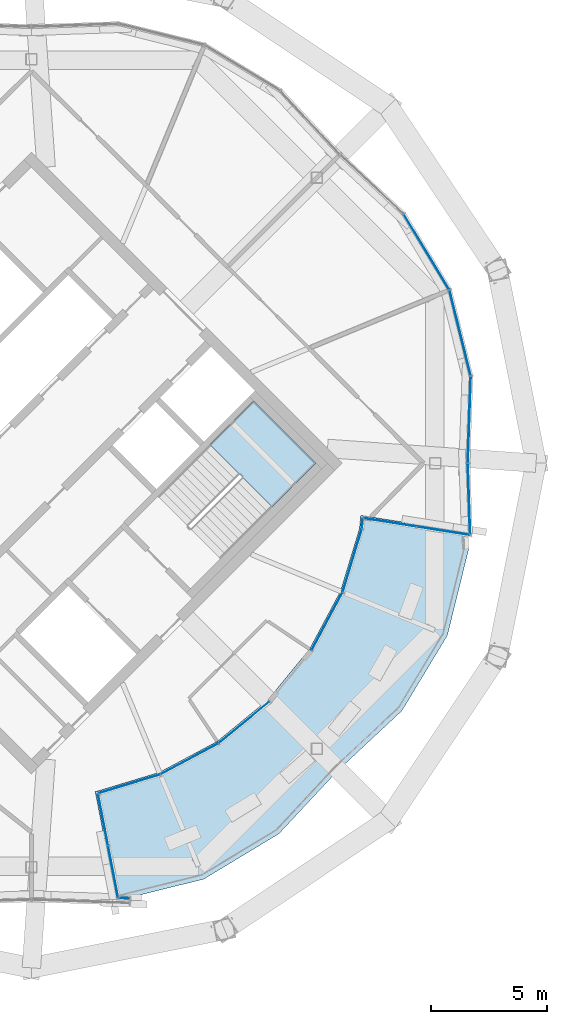
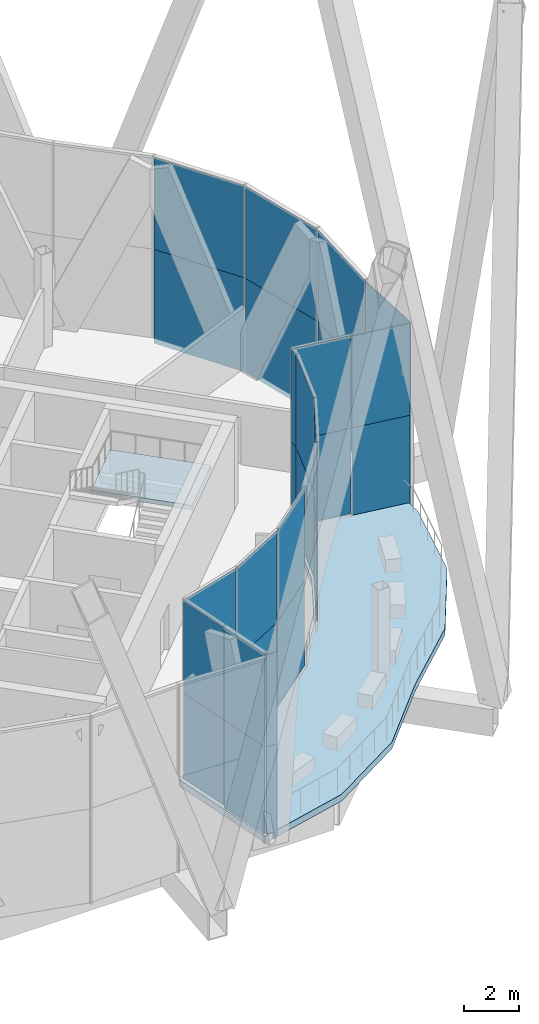
# One storey, part 28 of 38: 30 plates, 2 slabs, 6 elements without a shape of their own.
"""IFC4 building model written with IfcOpenShell, lengths in metres."""

import ifcopenshell
import ifcopenshell.guid

model = None  # the IFC model being written
_history = None  # IfcOwnerHistory: only IFC2X3 demands one
_inside = {}  # id of a spatial element -> (the spatial element, [elements in it])
_under = {}  # id of a project, library or spatial element -> (it, [spatial elements below it])
_declared = {}  # id of a project -> (the project, [libraries it declares])
_typed = {}  # id of a type object -> (the type object, [elements of that type])
_made_of = {}  # id of a material, layer set ... -> (it, [elements and type objects made of it])


def new_model(schema):
    """Start an empty IFC model of exactly this schema.

    Asked for "IFC4X3", IfcOpenShell would pick the latest addendum, in which some entities
    have other attributes; the version numbers below select the first issue.
    IFC2X3 requires an IfcOwnerHistory on every rooted entity: one is made here for all.
    """
    global model, _history
    if schema == "IFC4X3":
        model = ifcopenshell.file(schema_version=(4, 3, 0, 0))
    else:
        model = ifcopenshell.file(schema=schema)
    _inside.clear()
    _under.clear()
    _declared.clear()
    _typed.clear()
    _made_of.clear()
    _history = None
    if model.schema == "IFC2X3":
        org = make("IfcOrganization", Name="unknown")
        user = make(
            "IfcPersonAndOrganization",
            ThePerson=make("IfcPerson", FamilyName="unknown"),
            TheOrganization=org,
        )
        app = make(
            "IfcApplication",
            ApplicationDeveloper=org,
            Version="unknown",
            ApplicationFullName="unknown",
            ApplicationIdentifier="unknown",
        )
        _history = make(
            "IfcOwnerHistory",
            OwningUser=user,
            OwningApplication=app,
            ChangeAction="ADDED",
            CreationDate=0,
        )
    return model


def make(cls, **values):
    """One entity of the class cls with the attributes given. An attribute that is None is left unset."""
    return model.create_entity(
        cls, **{name: value for name, value in values.items() if value is not None}
    )


def rooted(cls, **values):
    """An entity with a GlobalId (a new one), such as an element, a storey or a relation."""
    return make(cls, GlobalId=ifcopenshell.guid.new(), OwnerHistory=_history, **values)


def si_unit(unit_type, name, prefix=None):
    """IfcSIUnit, for example si_unit("LENGTHUNIT", "METRE", prefix="MILLI")."""
    return make("IfcSIUnit", UnitType=unit_type, Prefix=prefix, Name=name)


def assignment(units):
    """IfcUnitAssignment: the units of a project."""
    return None if units is None else make("IfcUnitAssignment", Units=units)


def point(xyz):
    """IfcCartesianPoint."""
    return None if xyz is None else make("IfcCartesianPoint", Coordinates=xyz)


def direction(xyz):
    """IfcDirection."""
    return None if xyz is None else make("IfcDirection", DirectionRatios=xyz)


def frame(location, z_axis=None, x_axis=None):
    """IfcAxis2Placement3D, a coordinate frame: its origin and axes. An axis left out is left unset."""
    return make(
        "IfcAxis2Placement3D",
        Location=point(location),
        Axis=direction(z_axis),
        RefDirection=direction(x_axis),
    )


def frame_2d(location, x_axis=None):
    """IfcAxis2Placement2D, a coordinate frame in the plane: its origin and x axis."""
    return make(
        "IfcAxis2Placement2D", Location=point(location), RefDirection=direction(x_axis)
    )


def origin():
    """The frame at (0, 0, 0) with its axes left unset."""
    return frame((0.0, 0.0, 0.0))


def origin_2d():
    """The frame at (0, 0) in the plane with its x axis left unset."""
    return frame_2d((0.0, 0.0))


def place(relative_to, where):
    """IfcLocalPlacement: puts the frame where relative to a parent placement (None: the world)."""
    return make(
        "IfcLocalPlacement", PlacementRelTo=relative_to, RelativePlacement=where
    )


def context(
    kind, dimensions, precision=None, world=None, true_north=None, identifier=None
):
    """IfcGeometricRepresentationContext, for example the 3D "Model" context."""
    return make(
        "IfcGeometricRepresentationContext",
        ContextIdentifier=identifier,
        ContextType=kind,
        CoordinateSpaceDimension=dimensions,
        Precision=precision,
        WorldCoordinateSystem=world,
        TrueNorth=true_north,
    )


def subcontext(parent, identifier, kind, view, scale=None):
    """IfcGeometricRepresentationSubContext, for example "Body" below "Model"."""
    return make(
        "IfcGeometricRepresentationSubContext",
        ContextIdentifier=identifier,
        ContextType=kind,
        ParentContext=parent,
        TargetScale=scale,
        TargetView=view,
    )


def project(units=None, contexts=None):
    """IfcProject with its units and contexts."""
    return rooted(
        "IfcProject",
        Name="project",
        RepresentationContexts=contexts,
        UnitsInContext=assignment(units),
    )


def spatial(cls, under=None, at=None, **own):
    """A site, building, storey or space (cls), placed at a placement, below another one or the project."""
    s = rooted(cls, ObjectPlacement=at, **own)
    if under is not None:
        _under.setdefault(under.id(), (under, []))[1].append(s)
    return s


def polyline(points):
    """IfcPolyline through the points."""
    return make("IfcPolyline", Points=[point(p) for p in points])


def profile(cls, at=None, kind="AREA", **sizes):
    """A parametric profile (cls). Its sizes go by their IFC names, for example OverallWidth=200.0."""
    return make(cls, ProfileType=kind, Position=at, **sizes)


def rectangle(**sizes):
    """IfcRectangleProfileDef."""
    return profile("IfcRectangleProfileDef", **sizes)


def outline(outer, holes=None, kind="AREA"):
    """IfcArbitraryClosedProfileDef: a profile drawn as a closed curve; with holes, ...WithVoids."""
    if holes is None:
        return make("IfcArbitraryClosedProfileDef", ProfileType=kind, OuterCurve=outer)
    return make(
        "IfcArbitraryProfileDefWithVoids",
        ProfileType=kind,
        OuterCurve=outer,
        InnerCurves=holes,
    )


def extrude(swept, where, along, depth):
    """IfcExtrudedAreaSolid: the profile swept, set in the frame where, extruded along a direction by depth."""
    return make(
        "IfcExtrudedAreaSolid",
        SweptArea=swept,
        Position=where,
        ExtrudedDirection=direction(along),
        Depth=depth,
    )


def shape(context_of_items, identifier, shape_type, items):
    """IfcShapeRepresentation: the items that make up one representation, for example the "Body"."""
    return make(
        "IfcShapeRepresentation",
        ContextOfItems=context_of_items,
        RepresentationIdentifier=identifier,
        RepresentationType=shape_type,
        Items=items,
    )


def material(Name=None, Category=None):
    """IfcMaterial."""
    return make("IfcMaterial", Name=Name, Category=Category)


def layer(
    of_material, thickness, ventilated=None, Name=None, Category=None, Priority=None
):
    """IfcMaterialLayer: one layer of a wall or slab, of a material (None: an air gap)."""
    return make(
        "IfcMaterialLayer",
        Material=of_material,
        LayerThickness=thickness,
        IsVentilated=ventilated,
        Name=Name,
        Category=Category,
        Priority=Priority,
    )


def layer_set(layers, Name=None):
    """IfcMaterialLayerSet."""
    return make("IfcMaterialLayerSet", MaterialLayers=layers, LayerSetName=Name)


def made_of(thing, what):
    """Note that an element or type object is made of a material, layer set ...; save() writes the relation."""
    if what is not None:
        _made_of.setdefault(what.id(), (what, []))[1].append(thing)
    return thing


def type_object(cls, material=None, **own):
    """A type object (cls), such as IfcWallType, which elements share."""
    return made_of(rooted(cls, **own), material)


def element(
    cls,
    number,
    at=None,
    inside=None,
    cuts=None,
    type_object=None,
    material=None,
    context=None,
    identifier="Body",
    shape_type=None,
    held_by="IfcProductDefinitionShape",
    body=None,
    shapes=None,
    **own,
):
    """One element of the class cls, such as IfcWall. Its Tag is "e" and its number.

    at: its placement. inside: the storey or other place that contains it. cuts: it is an
    opening in that element (IfcRelVoidsElement). A single representation is given by context,
    identifier, shape_type and body (its items); several are given by shapes. held_by: the class
    of the entity that holds the representations. save() writes the other relations.
    """
    e = rooted(cls, Tag="e%d" % number, ObjectPlacement=at, **own)
    if body is not None:
        shapes = [shape(context, identifier, shape_type, body)]
    if shapes is not None:
        e.Representation = make(held_by, Representations=shapes)
    if inside is not None:
        _inside.setdefault(inside.id(), (inside, []))[1].append(e)
    if cuts is not None:
        rooted(
            "IfcRelVoidsElement", RelatingBuildingElement=cuts, RelatedOpeningElement=e
        )
    if type_object is not None:
        _typed.setdefault(type_object.id(), (type_object, []))[1].append(e)
    return made_of(e, material)


def aggregate(whole, parts):
    """IfcRelAggregates: a whole, such as a stair, and the parts it consists of."""
    return rooted("IfcRelAggregates", RelatingObject=whole, RelatedObjects=parts)


def save(model, path):
    """Write the relations noted so far, then the file.

    IfcRelAggregates (storeys below a building ...), IfcRelContainedInSpatialStructure (elements
    in a storey), IfcRelDefinesByType, IfcRelAssociatesMaterial and IfcRelDeclares: one each for
    every whole, place, type object, material and project.
    """
    for whole, parts in _under.values():
        aggregate(whole, parts)
    for where, things in _inside.values():
        rooted(
            "IfcRelContainedInSpatialStructure",
            RelatedElements=things,
            RelatingStructure=where,
        )
    for kind, things in _typed.values():
        rooted("IfcRelDefinesByType", RelatedObjects=things, RelatingType=kind)
    for what, things in _made_of.values():
        rooted("IfcRelAssociatesMaterial", RelatedObjects=things, RelatingMaterial=what)
    for by, libraries in _declared.values():
        rooted("IfcRelDeclares", RelatingContext=by, RelatedDefinitions=libraries)
    model.write(path)


model = new_model("IFC4")

# Units and contexts
model_context = context("Model", 3, precision=1e-05, world=origin(), true_north=direction((0.0, 1.0)))
body_context = subcontext(model_context, "Body", "Model", "MODEL_VIEW")
ifc_project = project(units=[si_unit("LENGTHUNIT", "METRE"), si_unit("AREAUNIT", "SQUARE_METRE"), si_unit("VOLUMEUNIT", "CUBIC_METRE"), si_unit("PLANEANGLEUNIT", "RADIAN"), si_unit("MASSUNIT", "GRAM", prefix="KILO")], contexts=[model_context])

# Site, building, storey
site_placement = place(None, origin())
site = spatial("IfcSite", under=ifc_project, at=site_placement, CompositionType="ELEMENT")
building_placement = place(site_placement, origin())
building = spatial("IfcBuilding", under=site, at=building_placement, Name="Ogive Gate Towers", CompositionType="ELEMENT")
storey_placement = place(building_placement, frame((0.0, 0.0, 268.800048828125)))
storey = spatial("IfcBuildingStorey", under=building, at=storey_placement, Name="L63", CompositionType="ELEMENT", Elevation=268.800048828125)

# Curtain wall, plates
ifc_material_1 = material(Name="Pale metal aluminium", Category="aluminium")
curtain_wall_type_1 = type_object("IfcCurtainWallType", Name="Sky garden glazing", PredefinedType="NOTDEFINED", material=ifc_material_1)
curtain_wall_1_placement = place(storey_placement, origin())
curtain_wall_1 = element("IfcCurtainWall", 1, at=curtain_wall_1_placement, inside=storey, type_object=curtain_wall_type_1, Name="CW4 T2 ECW01", PredefinedType="NOTDEFINED")
ifc_material_2 = material(Name="Clear glass", Category="glass")
ifc_layer_1 = layer(ifc_material_2, 0.028076171875)
ifc_layer_set_1 = layer_set([ifc_layer_1], Name="Sky garden glazing glass panel")
plate_type_1 = type_object("IfcPlateType", Name="Sky garden glazing glass panel", PredefinedType="CURTAIN_PANEL", material=ifc_layer_set_1)
plate_1_placement = place(storey_placement, frame((45.19384765625, -11.2001953125, 0.09619140625), z_axis=(0.0, 0.0, 1.0), x_axis=(-0.772999380993, -0.634406775645, 0.0)))
plate_1 = element("IfcPlate", 2, at=plate_1_placement, type_object=plate_type_1, Name="CW4 glass panel", PredefinedType="CURTAIN_PANEL", context=body_context, shape_type="SweptSolid", body=[
    extrude(rectangle(XDim=2.806884765625, YDim=0.028076171875, at=origin_2d()), origin(), (0.0, 0.0, 1.0), 3.803955078125),
])
plate_2_placement = place(storey_placement, frame((45.19384765625, -11.2001953125, 3.89990234375), z_axis=(0.0, 0.0, 1.0), x_axis=(-0.772999380993, -0.634406775645, 0.0)))
plate_2 = element("IfcPlate", 3, at=plate_2_placement, type_object=plate_type_1, Name="CW4 glass panel", PredefinedType="CURTAIN_PANEL", context=body_context, shape_type="SweptSolid", body=[
    extrude(rectangle(XDim=2.806884765625, YDim=0.028076171875, at=origin_2d()), origin(), (0.0, 0.0, 1.0), 4.10400390625),
])
plate_3_placement = place(storey_placement, frame((42.830810546875, -12.779296875, 0.09619140625), z_axis=(0.0, 0.0, 1.0), x_axis=(-0.881921264348, -0.471396736826, 0.0)))
plate_3 = element("IfcPlate", 4, at=plate_3_placement, type_object=plate_type_1, Name="CW4 glass panel", PredefinedType="CURTAIN_PANEL", context=body_context, shape_type="SweptSolid", body=[
    extrude(rectangle(XDim=2.8037109375, YDim=0.028076171875, at=origin_2d()), origin(), (0.0, 0.0, 1.0), 3.803955078125),
])
plate_4_placement = place(storey_placement, frame((42.830810546875, -12.779296875, 3.89990234375), z_axis=(0.0, 0.0, 1.0), x_axis=(-0.881921264348, -0.471396736826, 0.0)))
plate_4 = element("IfcPlate", 5, at=plate_4_placement, type_object=plate_type_1, Name="CW4 glass panel", PredefinedType="CURTAIN_PANEL", context=body_context, shape_type="SweptSolid", body=[
    extrude(rectangle(XDim=2.8037109375, YDim=0.028076171875, at=origin_2d()), origin(), (0.0, 0.0, 1.0), 4.10400390625),
])
plate_5_placement = place(storey_placement, frame((40.229248046875, -13.859619140625, 0.09619140625), z_axis=(0.0, 0.0, 1.0), x_axis=(-0.956935269163, -0.29030137897, 0.0)))
plate_5 = element("IfcPlate", 6, at=plate_5_placement, type_object=plate_type_1, Name="CW4 glass panel", PredefinedType="CURTAIN_PANEL", context=body_context, shape_type="SweptSolid", body=[
    extrude(rectangle(XDim=2.755615234375, YDim=0.028076171875, at=origin_2d()), origin(), (0.0, 0.0, 1.0), 3.803955078125),
])
plate_6_placement = place(storey_placement, frame((40.229248046875, -13.859619140625, 3.89990234375), z_axis=(0.0, 0.0, 1.0), x_axis=(-0.956935269163, -0.29030137897, 0.0)))
plate_6 = element("IfcPlate", 7, at=plate_6_placement, type_object=plate_type_1, Name="CW4 glass panel", PredefinedType="CURTAIN_PANEL", context=body_context, shape_type="SweptSolid", body=[
    extrude(rectangle(XDim=2.755615234375, YDim=0.028076171875, at=origin_2d()), origin(), (0.0, 0.0, 1.0), 4.10400390625),
])
plate_7_placement = place(storey_placement, frame((39.0966796875, -15.4072265625, 0.09619140625), z_axis=(0.0, 0.0, 1.0), x_axis=(0.190826127974, -0.981623853053, 0.0)))
plate_7 = element("IfcPlate", 8, at=plate_7_placement, type_object=plate_type_1, Name="CW4 glass panel", PredefinedType="CURTAIN_PANEL", context=body_context, shape_type="SweptSolid", body=[
    extrude(rectangle(XDim=2.243408203125, YDim=0.028076171875, at=origin_2d()), origin(), (0.0, 0.0, 1.0), 3.803955078125),
])
plate_8_placement = place(storey_placement, frame((39.0966796875, -15.4072265625, 3.89990234375), z_axis=(0.0, 0.0, 1.0), x_axis=(0.190826127974, -0.981623853053, 0.0)))
plate_8 = element("IfcPlate", 9, at=plate_8_placement, type_object=plate_type_1, Name="CW4 glass panel", PredefinedType="CURTAIN_PANEL", context=body_context, shape_type="SweptSolid", body=[
    extrude(rectangle(XDim=2.243408203125, YDim=0.028076171875, at=origin_2d()), origin(), (0.0, 0.0, 1.0), 4.10400390625),
])
aggregate(curtain_wall_1, [plate_1, plate_2, plate_3, plate_4, plate_5, plate_6, plate_7, plate_8])

curtain_wall_2_placement = place(storey_placement, origin())
curtain_wall_2 = element("IfcCurtainWall", 10, at=curtain_wall_2_placement, inside=storey, type_object=curtain_wall_type_1, Name="CW4 T2 ECW02", PredefinedType="NOTDEFINED")
plate_9_placement = place(storey_placement, frame((51.495361328125, -2.555419921875, 0.09619140625), z_axis=(0.0, 0.0, 1.0), x_axis=(-0.987688340595, 0.15643446504, 0.0)))
plate_9 = element("IfcPlate", 11, at=plate_9_placement, type_object=plate_type_1, Name="CW4 glass panel", PredefinedType="CURTAIN_PANEL", context=body_context, shape_type="SweptSolid", body=[
    extrude(rectangle(XDim=2.288330078125, YDim=0.028076171875, at=origin_2d()), origin(), (0.0, 0.0, 1.0), 3.803955078125),
])
plate_10_placement = place(storey_placement, frame((51.495361328125, -2.555419921875, 3.89990234375), z_axis=(0.0, 0.0, 1.0), x_axis=(-0.987688340595, 0.15643446504, 0.0)))
plate_10 = element("IfcPlate", 12, at=plate_10_placement, type_object=plate_type_1, Name="CW4 glass panel", PredefinedType="CURTAIN_PANEL", context=body_context, shape_type="SweptSolid", body=[
    extrude(rectangle(XDim=2.288330078125, YDim=0.028076171875, at=origin_2d()), origin(), (0.0, 0.0, 1.0), 4.10400390625),
])
plate_11_placement = place(storey_placement, frame((50.30322265625, -2.6123046875, 0.09619140625), z_axis=(0.0, 0.0, 1.0), x_axis=(-0.097999771064, -0.995186437242, 0.0)))
plate_11 = element("IfcPlate", 13, at=plate_11_placement, type_object=plate_type_1, Name="CW4 glass panel", PredefinedType="CURTAIN_PANEL", context=body_context, shape_type="SweptSolid", body=[
    extrude(rectangle(XDim=0.408203125, YDim=0.028076171875, at=origin_2d()), origin(), (0.0, 0.0, 1.0), 3.803955078125),
])
plate_12_placement = place(storey_placement, frame((50.30322265625, -2.6123046875, 3.89990234375), z_axis=(0.0, 0.0, 1.0), x_axis=(-0.097999771064, -0.995186437242, 0.0)))
plate_12 = element("IfcPlate", 14, at=plate_12_placement, type_object=plate_type_1, Name="CW4 glass panel", PredefinedType="CURTAIN_PANEL", context=body_context, shape_type="SweptSolid", body=[
    extrude(rectangle(XDim=0.408203125, YDim=0.028076171875, at=origin_2d()), origin(), (0.0, 0.0, 1.0), 4.10400390625),
])
plate_13_placement = place(storey_placement, frame((49.866455078125, -4.206298828125, 0.09619140625), z_axis=(0.0, 0.0, 1.0), x_axis=(-0.290284677254, -0.956940335732, 0.0)))
plate_13 = element("IfcPlate", 15, at=plate_13_placement, type_object=plate_type_1, Name="CW4 glass panel", PredefinedType="CURTAIN_PANEL", context=body_context, shape_type="SweptSolid", body=[
    extrude(rectangle(XDim=2.8037109375, YDim=0.028076171875, at=origin_2d()), origin(), (0.0, 0.0, 1.0), 3.803955078125),
])
plate_14_placement = place(storey_placement, frame((49.866455078125, -4.206298828125, 3.89990234375), z_axis=(0.0, 0.0, 1.0), x_axis=(-0.290284677254, -0.956940335732, 0.0)))
plate_14 = element("IfcPlate", 16, at=plate_14_placement, type_object=plate_type_1, Name="CW4 glass panel", PredefinedType="CURTAIN_PANEL", context=body_context, shape_type="SweptSolid", body=[
    extrude(rectangle(XDim=2.8037109375, YDim=0.028076171875, at=origin_2d()), origin(), (0.0, 0.0, 1.0), 4.10400390625),
])
plate_15_placement = place(storey_placement, frame((48.778564453125, -6.832275390625, 0.09619140625), z_axis=(0.0, 0.0, 1.0), x_axis=(-0.471396736826, -0.881921264348, 0.0)))
plate_15 = element("IfcPlate", 17, at=plate_15_placement, type_object=plate_type_1, Name="CW4 glass panel", PredefinedType="CURTAIN_PANEL", context=body_context, shape_type="SweptSolid", body=[
    extrude(rectangle(XDim=2.806884765625, YDim=0.028076171875, at=origin_2d()), origin(), (0.0, 0.0, 1.0), 3.803955078125),
])
plate_16_placement = place(storey_placement, frame((48.778564453125, -6.832275390625, 3.89990234375), z_axis=(0.0, 0.0, 1.0), x_axis=(-0.471396736826, -0.881921264348, 0.0)))
plate_16 = element("IfcPlate", 18, at=plate_16_placement, type_object=plate_type_1, Name="CW4 glass panel", PredefinedType="CURTAIN_PANEL", context=body_context, shape_type="SweptSolid", body=[
    extrude(rectangle(XDim=2.806884765625, YDim=0.028076171875, at=origin_2d()), origin(), (0.0, 0.0, 1.0), 4.10400390625),
])
aggregate(curtain_wall_2, [plate_9, plate_10, plate_11, plate_12, plate_13, plate_14, plate_15, plate_16])

# Stair, slab
ifc_material_3 = material(Name="Concrete C40/50", Category="concrete")
stair_type = type_object("IfcStairType", Name="Escape stair 1840 wide", PredefinedType="HALF_TURN_STAIR", material=ifc_material_3)
stair_placement = place(storey_placement, origin())
stair = element("IfcStair", 19, at=stair_placement, inside=storey, type_object=stair_type, Name="L63 Escape stair 2", PredefinedType="HALF_TURN_STAIR")
ifc_layer_2 = layer(ifc_material_3, 0.199951171875)
ifc_layer_set_2 = layer_set([ifc_layer_2], Name="Stair landing 200 mm")
slab_type_1 = type_object("IfcSlabType", Name="Stair landing 200 mm", PredefinedType="LANDING", material=ifc_layer_set_2)
slab_1_placement = place(storey_placement, frame((0.0, 0.0, 1.89990234375)))
slab_1 = element("IfcSlab", 20, at=slab_1_placement, type_object=slab_type_1, Name="ST2 landing 1", PredefinedType="LANDING", context=body_context, shape_type="SweptSolid", body=[
    extrude(outline(polyline([(46.413818359375, -1.8896484375), (48.3037109375, 0.0), (45.598876953125, 2.70458984375), (43.709228515625, 0.81494140625), (46.413818359375, -1.8896484375)])), origin(), (0.0, 0.0, 1.0), 0.199951171875),
])
aggregate(stair, [slab_1])

# Slab
ifc_material_4 = material(Name="Concrete C35/45", Category="concrete")
ifc_layer_3 = layer(ifc_material_4, 0.300048828125)
ifc_layer_set_3 = layer_set([ifc_layer_3], Name="Terrace slab 300")
slab_type_2 = type_object("IfcSlabType", Name="Terrace slab 300", PredefinedType="FLOOR", material=ifc_layer_set_3)
slab_2_placement = place(storey_placement, frame((0.0, 0.0, -0.300048828125)))
element("IfcSlab", 21, at=slab_2_placement, inside=storey, type_object=slab_type_2, Name="T2/L63/SSL002", PredefinedType="FLOOR", context=body_context, shape_type="SweptSolid", body=[
    extrude(outline(polyline([(38.758056640625, -14.1884765625), (39.671142578125, -18.886962890625), (39.75732421875, -18.889892578125), (43.447021484375, -17.978759765625), (46.7001953125, -16.01416015625), (49.265380859375, -13.265380859375), (52.01416015625, -10.7001953125), (53.978759765625, -7.447021484375), (54.889892578125, -3.75732421875), (54.86328125, -2.987548828125), (50.23779296875, -2.255126953125), (50.18212890625, -2.821044921875), (49.359375, -5.53369140625), (48.02294921875, -8.033447265625), (46.224853515625, -10.224853515625), (44.033447265625, -12.02294921875), (41.53369140625, -13.359375), (38.821044921875, -14.18212890625), (38.758056640625, -14.1884765625)])), origin(), (0.0, 0.0, 1.0), 0.300048828125),
])

# Curtain wall, plates
curtain_wall_type_2 = type_object("IfcCurtainWallType", Name="Tower unitised wall, high zone", PredefinedType="NOTDEFINED", material=ifc_material_1)
curtain_wall_3_placement = place(storey_placement, origin())
curtain_wall_3 = element("IfcCurtainWall", 22, at=curtain_wall_3_placement, inside=storey, type_object=curtain_wall_type_2, Name="CW2 T2 ECW03", PredefinedType="NOTDEFINED")
ifc_layer_4 = layer(ifc_material_2, 0.028076171875)
ifc_layer_set_4 = layer_set([ifc_layer_4], Name="Tower unitised wall, high zone glass panel")
plate_type_2 = type_object("IfcPlateType", Name="Tower unitised wall, high zone glass panel", PredefinedType="CURTAIN_PANEL", material=ifc_layer_set_4)
plate_17_placement = place(storey_placement, frame((53.082275390625, 9.125, -0.2998046875), z_axis=(0.0, 0.0, 1.0), x_axis=(0.516921837348, -0.856032601057, 0.0)))
plate_17 = element("IfcPlate", 23, at=plate_17_placement, type_object=plate_type_2, Name="CW2 glass panel", PredefinedType="CURTAIN_PANEL", context=body_context, shape_type="SweptSolid", body=[
    extrude(rectangle(XDim=3.767578125, YDim=0.028076171875, at=origin_2d()), origin(), (0.0, 0.0, 1.0), 4.199951171875),
])
plate_18_placement = place(storey_placement, frame((53.082275390625, 9.125, 3.89990234375), z_axis=(0.0, 0.0, 1.0), x_axis=(0.516921837348, -0.856032601057, 0.0)))
plate_18 = element("IfcPlate", 24, at=plate_18_placement, type_object=plate_type_2, Name="CW2 glass panel", PredefinedType="CURTAIN_PANEL", context=body_context, shape_type="SweptSolid", body=[
    extrude(rectangle(XDim=3.767578125, YDim=0.028076171875, at=origin_2d()), origin(), (0.0, 0.0, 1.0), 4.10400390625),
])
plate_19_placement = place(storey_placement, frame((54.53125, 5.626708984375, -0.2998046875), z_axis=(0.0, 0.0, 1.0), x_axis=(0.239770576456, -0.97082957859, 0.0)))
plate_19 = element("IfcPlate", 25, at=plate_19_placement, type_object=plate_type_2, Name="CW2 glass panel", PredefinedType="CURTAIN_PANEL", context=body_context, shape_type="SweptSolid", body=[
    extrude(rectangle(XDim=3.767333984375, YDim=0.028076171875, at=origin_2d()), origin(), (0.0, 0.0, 1.0), 4.199951171875),
])
plate_20_placement = place(storey_placement, frame((54.53125, 5.626708984375, 3.89990234375), z_axis=(0.0, 0.0, 1.0), x_axis=(0.239770576456, -0.97082957859, 0.0)))
plate_20 = element("IfcPlate", 26, at=plate_20_placement, type_object=plate_type_2, Name="CW2 glass panel", PredefinedType="CURTAIN_PANEL", context=body_context, shape_type="SweptSolid", body=[
    extrude(rectangle(XDim=3.767333984375, YDim=0.028076171875, at=origin_2d()), origin(), (0.0, 0.0, 1.0), 4.10400390625),
])
plate_21_placement = place(storey_placement, frame((54.925048828125, 1.882080078125, -0.2998046875), z_axis=(0.0, 0.0, 1.0), x_axis=(-0.034533198497, -0.999403551225, 0.0)))
plate_21 = element("IfcPlate", 27, at=plate_21_placement, type_object=plate_type_2, Name="CW2 glass panel", PredefinedType="CURTAIN_PANEL", context=body_context, shape_type="SweptSolid", body=[
    extrude(rectangle(XDim=3.712158203125, YDim=0.028076171875, at=origin_2d()), origin(), (0.0, 0.0, 1.0), 4.199951171875),
])
plate_22_placement = place(storey_placement, frame((54.925048828125, 1.882080078125, 3.89990234375), z_axis=(0.0, 0.0, 1.0), x_axis=(-0.034533198497, -0.999403551225, 0.0)))
plate_22 = element("IfcPlate", 28, at=plate_22_placement, type_object=plate_type_2, Name="CW2 glass panel", PredefinedType="CURTAIN_PANEL", context=body_context, shape_type="SweptSolid", body=[
    extrude(rectangle(XDim=3.712158203125, YDim=0.028076171875, at=origin_2d()), origin(), (0.0, 0.0, 1.0), 4.10400390625),
])
aggregate(curtain_wall_3, [plate_17, plate_18, plate_19, plate_20, plate_21, plate_22])

curtain_wall_4_placement = place(storey_placement, origin())
curtain_wall_4 = element("IfcCurtainWall", 29, at=curtain_wall_4_placement, inside=storey, type_object=curtain_wall_type_2, Name="CW2 T2 ECW09", PredefinedType="NOTDEFINED")
plate_23_placement = place(storey_placement, frame((39.533203125, -17.6533203125, -0.2998046875), z_axis=(0.0, 0.0, 1.0), x_axis=(0.190774730008, -0.98163384334, 0.0)))
plate_23 = element("IfcPlate", 30, at=plate_23_placement, type_object=plate_type_2, Name="CW2 glass panel", PredefinedType="CURTAIN_PANEL", context=body_context, shape_type="SweptSolid", body=[
    extrude(rectangle(XDim=2.235107421875, YDim=0.028076171875, at=origin_2d()), origin(), (0.0, 0.0, 1.0), 4.199951171875),
])
plate_24_placement = place(storey_placement, frame((39.533203125, -17.6533203125, 3.89990234375), z_axis=(0.0, 0.0, 1.0), x_axis=(0.190774730008, -0.98163384334, 0.0)))
plate_24 = element("IfcPlate", 31, at=plate_24_placement, type_object=plate_type_2, Name="CW2 glass panel", PredefinedType="CURTAIN_PANEL", context=body_context, shape_type="SweptSolid", body=[
    extrude(rectangle(XDim=2.235107421875, YDim=0.028076171875, at=origin_2d()), origin(), (0.0, 0.0, 1.0), 4.10400390625),
])
plate_25_placement = place(storey_placement, frame((40.013916015625, -18.798828125, -0.2998046875), z_axis=(0.0, 0.0, 1.0), x_axis=(0.999403551225, -0.034533198497, 0.0)))
plate_25 = element("IfcPlate", 32, at=plate_25_placement, type_object=plate_type_2, Name="CW2 glass panel", PredefinedType="CURTAIN_PANEL", context=body_context, shape_type="SweptSolid", body=[
    extrude(rectangle(XDim=0.439697265625, YDim=0.028076171875, at=origin_2d()), origin(), (0.0, 0.0, 1.0), 4.199951171875),
])
plate_26_placement = place(storey_placement, frame((40.013916015625, -18.798828125, 3.89990234375), z_axis=(0.0, 0.0, 1.0), x_axis=(0.999403551225, -0.034533198497, 0.0)))
plate_26 = element("IfcPlate", 33, at=plate_26_placement, type_object=plate_type_2, Name="CW2 glass panel", PredefinedType="CURTAIN_PANEL", context=body_context, shape_type="SweptSolid", body=[
    extrude(rectangle(XDim=0.439697265625, YDim=0.028076171875, at=origin_2d()), origin(), (0.0, 0.0, 1.0), 4.10400390625),
])
aggregate(curtain_wall_4, [plate_23, plate_24, plate_25, plate_26])

curtain_wall_5_placement = place(storey_placement, origin())
curtain_wall_5 = element("IfcCurtainWall", 34, at=curtain_wall_5_placement, inside=storey, type_object=curtain_wall_type_2, Name="CW2 T2 ECW10", PredefinedType="NOTDEFINED")
plate_27_placement = place(storey_placement, frame((54.913330078125, -1.543212890625, -0.2998046875), z_axis=(0.0, 0.0, 1.0), x_axis=(0.034533198497, -0.999403551225, 0.0)))
plate_27 = element("IfcPlate", 35, at=plate_27_placement, type_object=plate_type_2, Name="CW2 glass panel", PredefinedType="CURTAIN_PANEL", context=body_context, shape_type="SweptSolid", body=[
    extrude(rectangle(XDim=3.0341796875, YDim=0.028076171875, at=origin_2d()), origin(), (0.0, 0.0, 1.0), 4.199951171875),
])
plate_28_placement = place(storey_placement, frame((54.913330078125, -1.543212890625, 3.89990234375), z_axis=(0.0, 0.0, 1.0), x_axis=(0.034533198497, -0.999403551225, 0.0)))
plate_28 = element("IfcPlate", 36, at=plate_28_placement, type_object=plate_type_2, Name="CW2 glass panel", PredefinedType="CURTAIN_PANEL", context=body_context, shape_type="SweptSolid", body=[
    extrude(rectangle(XDim=3.0341796875, YDim=0.028076171875, at=origin_2d()), origin(), (0.0, 0.0, 1.0), 4.10400390625),
])
plate_29_placement = place(storey_placement, frame((53.7978515625, -2.920166015625, -0.2998046875), z_axis=(0.0, 0.0, 1.0), x_axis=(-0.987688340595, 0.15643446504, 0.0)))
plate_29 = element("IfcPlate", 37, at=plate_29_placement, type_object=plate_type_2, Name="CW2 glass panel", PredefinedType="CURTAIN_PANEL", context=body_context, shape_type="SweptSolid", body=[
    extrude(rectangle(XDim=2.276123046875, YDim=0.028076171875, at=origin_2d()), origin(), (0.0, 0.0, 1.0), 4.199951171875),
])
plate_30_placement = place(storey_placement, frame((53.7978515625, -2.920166015625, 3.89990234375), z_axis=(0.0, 0.0, 1.0), x_axis=(-0.987688340595, 0.15643446504, 0.0)))
plate_30 = element("IfcPlate", 38, at=plate_30_placement, type_object=plate_type_2, Name="CW2 glass panel", PredefinedType="CURTAIN_PANEL", context=body_context, shape_type="SweptSolid", body=[
    extrude(rectangle(XDim=2.276123046875, YDim=0.028076171875, at=origin_2d()), origin(), (0.0, 0.0, 1.0), 4.10400390625),
])
aggregate(curtain_wall_5, [plate_27, plate_28, plate_29, plate_30])

save(model, "model.ifc")
